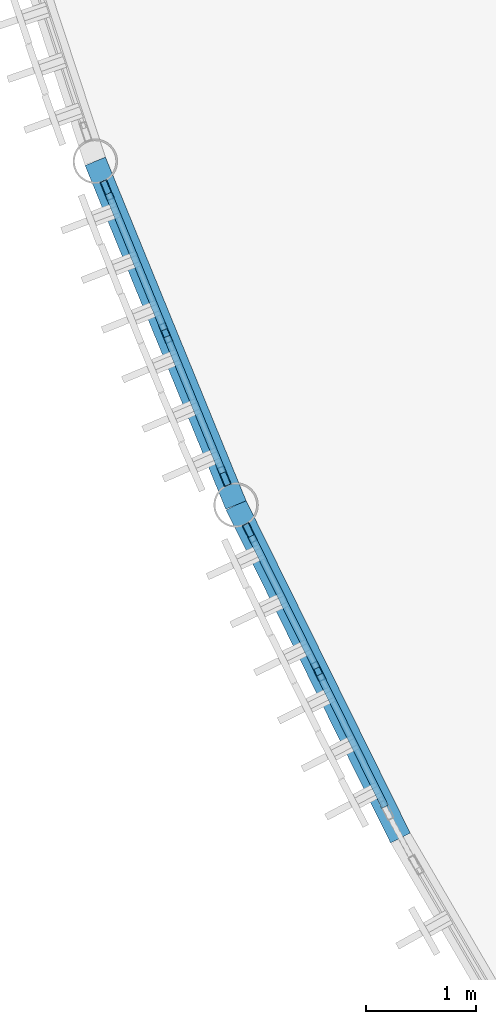
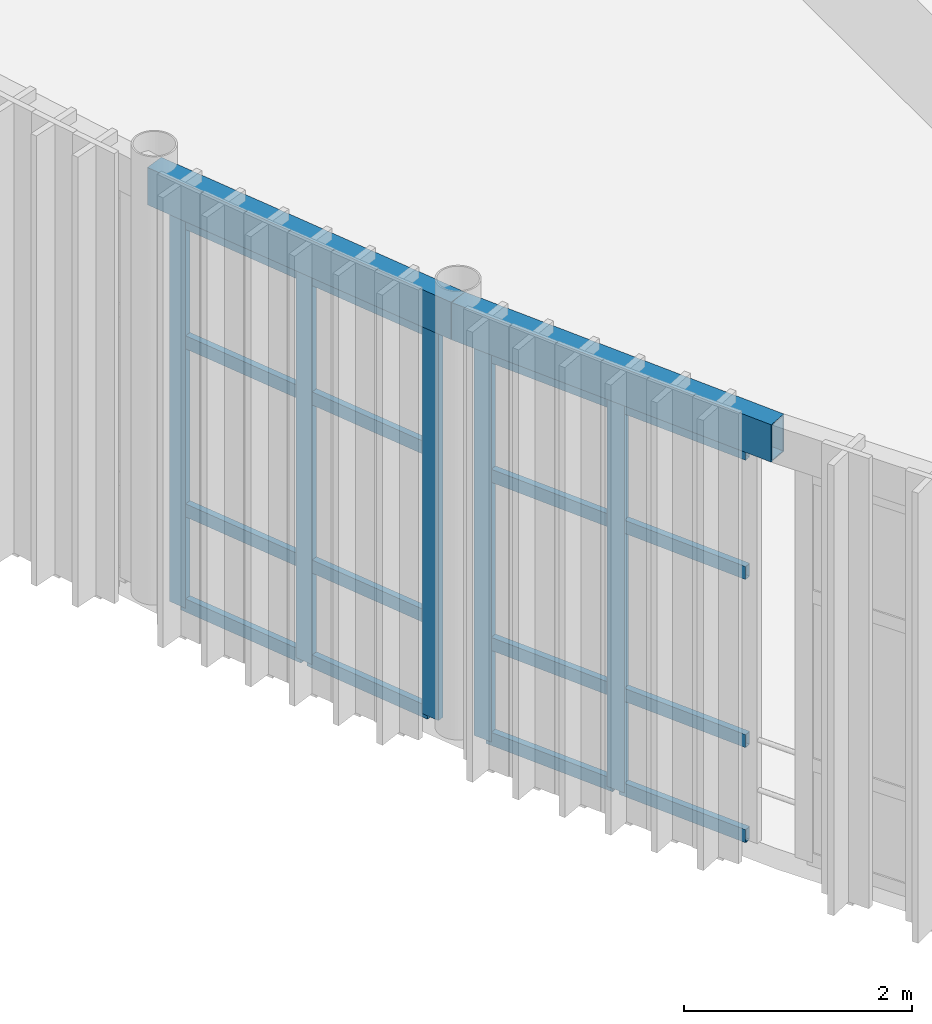
# One storey, part 21 of 105: 21 members, 2 beams, 2 elements without a shape of their own.
"""IFC4 building model written with IfcOpenShell, lengths in metres."""

from ifc_helpers import new_model, si_unit, direction, frame, origin, origin_2d, place, context, subcontext, project, spatial, hollow_rectangle, extrude, material, layer, layer_set, material_profile, profile_set, type_object, element, aggregate, save


model = new_model("IFC4")

# Units and contexts
model_context = context("Model", 3, precision=1e-05, world=origin(), true_north=direction((0.0, 1.0)))
body_context = subcontext(model_context, "Body", "Model", "MODEL_VIEW")
ifc_project = project(units=[si_unit("LENGTHUNIT", "METRE"), si_unit("AREAUNIT", "SQUARE_METRE"), si_unit("VOLUMEUNIT", "CUBIC_METRE"), si_unit("PLANEANGLEUNIT", "RADIAN"), si_unit("MASSUNIT", "GRAM", prefix="KILO")], contexts=[model_context])

# Site, building, storey
site_placement = place(None, origin())
site = spatial("IfcSite", under=ifc_project, at=site_placement, CompositionType="ELEMENT")
building_placement = place(site_placement, origin())
building = spatial("IfcBuilding", under=site, at=building_placement, Name="Selat Folded Stagehouse", CompositionType="ELEMENT")
storey_placement = place(building_placement, frame((0.0, 0.0, 10.199951171875)))
storey = spatial("IfcBuildingStorey", under=building, at=storey_placement, Name="L02", CompositionType="ELEMENT", Elevation=10.199951171875)

# Curtain wall, members
ifc_material_1 = material(Name="Aluminium 6063-T6", Category="aluminium")
ifc_layer = layer(ifc_material_1, 0.199951171875)
ifc_layer_set = layer_set([ifc_layer], Name="Aluminium 6063-T6")
curtain_wall_type = type_object("IfcCurtainWallType", Name="CW-DRM-MID", PredefinedType="NOTDEFINED", material=ifc_layer_set)
curtain_wall_1_placement = place(storey_placement, origin())
curtain_wall_1 = element("IfcCurtainWall", 1, at=curtain_wall_1_placement, inside=storey, type_object=curtain_wall_type, Name="L02 curtain wall CW-DRM-L02-07", PredefinedType="NOTDEFINED")
ifc_material_profile_1 = material_profile(ifc_material_1, hollow_rectangle(XDim=0.06494140625, YDim=0.179931640625, WallThickness=0.00390625, at=origin_2d()), Name="ALU 180x65x4.0")
ifc_profile_set_1 = profile_set([ifc_material_profile_1], Name="Aluminium 6063-T6")
member_type_1 = type_object("IfcMemberType", Name="CWM-MUL-180x65", PredefinedType="MULLION", material=ifc_profile_set_1)
member_1_placement = place(storey_placement, frame((4.136962890625, 28.52783203125, 0.0), z_axis=(0.0, 0.0, 1.0), x_axis=(-0.925441425231, -0.378890707813, 0.0)))
member_1 = element("IfcMember", 2, at=member_1_placement, type_object=member_type_1, Name="CW-02 mullion 1", PredefinedType="MULLION", context=body_context, shape_type="SweptSolid", body=[
    extrude(hollow_rectangle(XDim=0.06494140625, YDim=0.179931640625, WallThickness=0.00390625, at=origin_2d()), origin(), (0.0, 0.0, 1.0), 4.16015625),
])
member_2_placement = place(storey_placement, frame((3.605712890625, 29.8251953125, 0.0), z_axis=(0.0, 0.0, 1.0), x_axis=(-0.925441425231, -0.378890707813, 0.0)))
member_2 = element("IfcMember", 3, at=member_2_placement, type_object=member_type_1, Name="CW-02 mullion 2", PredefinedType="MULLION", context=body_context, shape_type="SweptSolid", body=[
    extrude(hollow_rectangle(XDim=0.06494140625, YDim=0.179931640625, WallThickness=0.00390625, at=origin_2d()), origin(), (0.0, 0.0, 1.0), 4.16015625),
])
member_3_placement = place(storey_placement, frame((3.07470703125, 31.122802734375, 0.0), z_axis=(0.0, 0.0, 1.0), x_axis=(-0.925441425231, -0.378890707813, 0.0)))
member_3 = element("IfcMember", 4, at=member_3_placement, type_object=member_type_1, Name="CW-02 mullion 3", PredefinedType="MULLION", context=body_context, shape_type="SweptSolid", body=[
    extrude(hollow_rectangle(XDim=0.06494140625, YDim=0.179931640625, WallThickness=0.00390625, at=origin_2d()), origin(), (0.0, 0.0, 1.0), 4.16015625),
])

curtain_wall_2_placement = place(storey_placement, origin())
curtain_wall_2 = element("IfcCurtainWall", 5, at=curtain_wall_2_placement, inside=storey, type_object=curtain_wall_type, Name="L02 curtain wall CW-DRM-L02-08", PredefinedType="NOTDEFINED")
member_4_placement = place(storey_placement, frame((4.989990234375, 26.756103515625, 0.0), z_axis=(0.0, 0.0, 1.0), x_axis=(-0.896598356392, -0.442844653705, 0.0)))
member_4 = element("IfcMember", 6, at=member_4_placement, type_object=member_type_1, Name="CW-02 mullion 2", PredefinedType="MULLION", context=body_context, shape_type="SweptSolid", body=[
    extrude(hollow_rectangle(XDim=0.06494140625, YDim=0.179931640625, WallThickness=0.00390625, at=origin_2d()), origin(), (0.0, 0.0, 1.0), 4.16015625),
])
member_5_placement = place(storey_placement, frame((4.369140625, 28.01318359375, 0.0), z_axis=(0.0, 0.0, 1.0), x_axis=(-0.896598356392, -0.442844653705, 0.0)))
member_5 = element("IfcMember", 7, at=member_5_placement, type_object=member_type_1, Name="CW-02 mullion 3", PredefinedType="MULLION", context=body_context, shape_type="SweptSolid", body=[
    extrude(hollow_rectangle(XDim=0.06494140625, YDim=0.179931640625, WallThickness=0.00390625, at=origin_2d()), origin(), (0.0, 0.0, 1.0), 4.16015625),
])

# Member
ifc_material_profile_2 = material_profile(ifc_material_1, hollow_rectangle(XDim=0.06494140625, YDim=0.139892578125, WallThickness=0.00390625, at=origin_2d()), Name="ALU 140x65x4.0")
ifc_profile_set_2 = profile_set([ifc_material_profile_2], Name="Aluminium 6063-T6")
member_type_2 = type_object("IfcMemberType", Name="CWM-TRN-140x65", PredefinedType="USERDEFINED", material=ifc_profile_set_2)
member_6_placement = place(storey_placement, frame((4.124755859375, 28.557861328125, 0.032470703125), z_axis=(-0.378903018668, 0.925436384872, 0.0), x_axis=(-0.925436384872, -0.378903018668, 0.0)))
member_6 = element("IfcMember", 8, at=member_6_placement, type_object=member_type_2, Name="CW-02 transom 1.1", ObjectType="TRANSOM", PredefinedType="USERDEFINED", context=body_context, shape_type="SweptSolid", body=[
    extrude(hollow_rectangle(XDim=0.06494140625, YDim=0.139892578125, WallThickness=0.00390625, at=origin_2d()), origin(), (0.0, 0.0, 1.0), 1.3369140625),
])

member_7_placement = place(storey_placement, frame((4.124755859375, 28.557861328125, 1.050048828125), z_axis=(-0.378903018668, 0.925436384872, 0.0), x_axis=(-0.925436384872, -0.378903018668, 0.0)))
member_7 = element("IfcMember", 9, at=member_7_placement, type_object=member_type_2, Name="CW-02 transom 1.2", ObjectType="TRANSOM", PredefinedType="USERDEFINED", context=body_context, shape_type="SweptSolid", body=[
    extrude(hollow_rectangle(XDim=0.06494140625, YDim=0.139892578125, WallThickness=0.00390625, at=origin_2d()), origin(), (0.0, 0.0, 1.0), 1.3369140625),
])

member_8_placement = place(storey_placement, frame((4.124755859375, 28.557861328125, 2.85009765625), z_axis=(-0.378903018668, 0.925436384872, 0.0), x_axis=(-0.925436384872, -0.378903018668, 0.0)))
member_8 = element("IfcMember", 10, at=member_8_placement, type_object=member_type_2, Name="CW-02 transom 1.3", ObjectType="TRANSOM", PredefinedType="USERDEFINED", context=body_context, shape_type="SweptSolid", body=[
    extrude(hollow_rectangle(XDim=0.06494140625, YDim=0.139892578125, WallThickness=0.00390625, at=origin_2d()), origin(), (0.0, 0.0, 1.0), 1.3369140625),
])

member_9_placement = place(storey_placement, frame((4.124755859375, 28.557861328125, 4.12744140625), z_axis=(-0.378903018668, 0.925436384872, 0.0), x_axis=(-0.925436384872, -0.378903018668, 0.0)))
member_9 = element("IfcMember", 11, at=member_9_placement, type_object=member_type_2, Name="CW-02 transom 1.4", ObjectType="TRANSOM", PredefinedType="USERDEFINED", context=body_context, shape_type="SweptSolid", body=[
    extrude(hollow_rectangle(XDim=0.06494140625, YDim=0.139892578125, WallThickness=0.00390625, at=origin_2d()), origin(), (0.0, 0.0, 1.0), 1.3369140625),
])

member_10_placement = place(storey_placement, frame((3.593505859375, 29.85546875, 0.032470703125), z_axis=(-0.378967058745, 0.925410162245, 0.0), x_axis=(-0.925410162245, -0.378967058745, 0.0)))
member_10 = element("IfcMember", 12, at=member_10_placement, type_object=member_type_2, Name="CW-02 transom 2.1", ObjectType="TRANSOM", PredefinedType="USERDEFINED", context=body_context, shape_type="SweptSolid", body=[
    extrude(hollow_rectangle(XDim=0.06494140625, YDim=0.139892578125, WallThickness=0.00390625, at=origin_2d()), origin(), (0.0, 0.0, 1.0), 1.336669921875),
])

member_11_placement = place(storey_placement, frame((3.593505859375, 29.85546875, 1.050048828125), z_axis=(-0.378967058745, 0.925410162245, 0.0), x_axis=(-0.925410162245, -0.378967058745, 0.0)))
member_11 = element("IfcMember", 13, at=member_11_placement, type_object=member_type_2, Name="CW-02 transom 2.2", ObjectType="TRANSOM", PredefinedType="USERDEFINED", context=body_context, shape_type="SweptSolid", body=[
    extrude(hollow_rectangle(XDim=0.06494140625, YDim=0.139892578125, WallThickness=0.00390625, at=origin_2d()), origin(), (0.0, 0.0, 1.0), 1.336669921875),
])

member_12_placement = place(storey_placement, frame((3.593505859375, 29.85546875, 2.85009765625), z_axis=(-0.378967058745, 0.925410162245, 0.0), x_axis=(-0.925410162245, -0.378967058745, 0.0)))
member_12 = element("IfcMember", 14, at=member_12_placement, type_object=member_type_2, Name="CW-02 transom 2.3", ObjectType="TRANSOM", PredefinedType="USERDEFINED", context=body_context, shape_type="SweptSolid", body=[
    extrude(hollow_rectangle(XDim=0.06494140625, YDim=0.139892578125, WallThickness=0.00390625, at=origin_2d()), origin(), (0.0, 0.0, 1.0), 1.336669921875),
])

member_13_placement = place(storey_placement, frame((3.593505859375, 29.85546875, 4.12744140625), z_axis=(-0.378967058745, 0.925410162245, 0.0), x_axis=(-0.925410162245, -0.378967058745, 0.0)))
member_13 = element("IfcMember", 15, at=member_13_placement, type_object=member_type_2, Name="CW-02 transom 2.4", ObjectType="TRANSOM", PredefinedType="USERDEFINED", context=body_context, shape_type="SweptSolid", body=[
    extrude(hollow_rectangle(XDim=0.06494140625, YDim=0.139892578125, WallThickness=0.00390625, at=origin_2d()), origin(), (0.0, 0.0, 1.0), 1.336669921875),
])

aggregate(curtain_wall_1, [member_1, member_2, member_3, member_6, member_7, member_8, member_9, member_10, member_11, member_12, member_13])

member_14_placement = place(storey_placement, frame((5.596435546875, 25.528076171875, 0.032470703125), z_axis=(-0.442825622785, 0.896607755825, 0.0), x_axis=(-0.896607755825, -0.442825622785, 0.0)))
member_14 = element("IfcMember", 16, at=member_14_placement, type_object=member_type_2, Name="CW-02 transom 1.1", ObjectType="TRANSOM", PredefinedType="USERDEFINED", context=body_context, shape_type="SweptSolid", body=[
    extrude(hollow_rectangle(XDim=0.06494140625, YDim=0.139892578125, WallThickness=0.00390625, at=origin_2d()), origin(), (0.0, 0.0, 1.0), 1.3369140625),
])

member_15_placement = place(storey_placement, frame((5.596435546875, 25.528076171875, 1.050048828125), z_axis=(-0.442825622785, 0.896607755825, 0.0), x_axis=(-0.896607755825, -0.442825622785, 0.0)))
member_15 = element("IfcMember", 17, at=member_15_placement, type_object=member_type_2, Name="CW-02 transom 1.2", ObjectType="TRANSOM", PredefinedType="USERDEFINED", context=body_context, shape_type="SweptSolid", body=[
    extrude(hollow_rectangle(XDim=0.06494140625, YDim=0.139892578125, WallThickness=0.00390625, at=origin_2d()), origin(), (0.0, 0.0, 1.0), 1.3369140625),
])

member_16_placement = place(storey_placement, frame((5.596435546875, 25.528076171875, 2.85009765625), z_axis=(-0.442825622785, 0.896607755825, 0.0), x_axis=(-0.896607755825, -0.442825622785, 0.0)))
member_16 = element("IfcMember", 18, at=member_16_placement, type_object=member_type_2, Name="CW-02 transom 1.3", ObjectType="TRANSOM", PredefinedType="USERDEFINED", context=body_context, shape_type="SweptSolid", body=[
    extrude(hollow_rectangle(XDim=0.06494140625, YDim=0.139892578125, WallThickness=0.00390625, at=origin_2d()), origin(), (0.0, 0.0, 1.0), 1.3369140625),
])

member_17_placement = place(storey_placement, frame((5.596435546875, 25.528076171875, 4.12744140625), z_axis=(-0.442825622785, 0.896607755825, 0.0), x_axis=(-0.896607755825, -0.442825622785, 0.0)))
member_17 = element("IfcMember", 19, at=member_17_placement, type_object=member_type_2, Name="CW-02 transom 1.4", ObjectType="TRANSOM", PredefinedType="USERDEFINED", context=body_context, shape_type="SweptSolid", body=[
    extrude(hollow_rectangle(XDim=0.06494140625, YDim=0.139892578125, WallThickness=0.00390625, at=origin_2d()), origin(), (0.0, 0.0, 1.0), 1.3369140625),
])

member_18_placement = place(storey_placement, frame((4.9755859375, 26.78515625, 0.032470703125), z_axis=(-0.442753130164, 0.896643555561, 0.0), x_axis=(-0.896643555561, -0.442753130164, 0.0)))
member_18 = element("IfcMember", 20, at=member_18_placement, type_object=member_type_2, Name="CW-02 transom 2.1", ObjectType="TRANSOM", PredefinedType="USERDEFINED", context=body_context, shape_type="SweptSolid", body=[
    extrude(hollow_rectangle(XDim=0.06494140625, YDim=0.139892578125, WallThickness=0.00390625, at=origin_2d()), origin(), (0.0, 0.0, 1.0), 1.337158203125),
])

member_19_placement = place(storey_placement, frame((4.9755859375, 26.78515625, 1.050048828125), z_axis=(-0.442753130164, 0.896643555561, 0.0), x_axis=(-0.896643555561, -0.442753130164, 0.0)))
member_19 = element("IfcMember", 21, at=member_19_placement, type_object=member_type_2, Name="CW-02 transom 2.2", ObjectType="TRANSOM", PredefinedType="USERDEFINED", context=body_context, shape_type="SweptSolid", body=[
    extrude(hollow_rectangle(XDim=0.06494140625, YDim=0.139892578125, WallThickness=0.00390625, at=origin_2d()), origin(), (0.0, 0.0, 1.0), 1.337158203125),
])

member_20_placement = place(storey_placement, frame((4.9755859375, 26.78515625, 2.85009765625), z_axis=(-0.442753130164, 0.896643555561, 0.0), x_axis=(-0.896643555561, -0.442753130164, 0.0)))
member_20 = element("IfcMember", 22, at=member_20_placement, type_object=member_type_2, Name="CW-02 transom 2.3", ObjectType="TRANSOM", PredefinedType="USERDEFINED", context=body_context, shape_type="SweptSolid", body=[
    extrude(hollow_rectangle(XDim=0.06494140625, YDim=0.139892578125, WallThickness=0.00390625, at=origin_2d()), origin(), (0.0, 0.0, 1.0), 1.337158203125),
])

member_21_placement = place(storey_placement, frame((4.9755859375, 26.78515625, 4.12744140625), z_axis=(-0.442753130164, 0.896643555561, 0.0), x_axis=(-0.896643555561, -0.442753130164, 0.0)))
member_21 = element("IfcMember", 23, at=member_21_placement, type_object=member_type_2, Name="CW-02 transom 2.4", ObjectType="TRANSOM", PredefinedType="USERDEFINED", context=body_context, shape_type="SweptSolid", body=[
    extrude(hollow_rectangle(XDim=0.06494140625, YDim=0.139892578125, WallThickness=0.00390625, at=origin_2d()), origin(), (0.0, 0.0, 1.0), 1.337158203125),
])

aggregate(curtain_wall_2, [member_4, member_5, member_14, member_15, member_16, member_17, member_18, member_19, member_20, member_21])

# Beams
ifc_material_2 = material(Name="Steel S355", Category="steel")
ifc_material_profile_3 = material_profile(ifc_material_2, hollow_rectangle(XDim=0.199951171875, YDim=0.39990234375, WallThickness=0.012451171875, at=origin_2d()), Name="RHS 400x200x12.5")
ifc_profile_set_3 = profile_set([ifc_material_profile_3], Name="Steel S355")
beam_type = type_object("IfcBeamType", Name="SPD-EXT-400x200", PredefinedType="SPANDREL", material=ifc_profile_set_3)
for number, where, z_axis, x_axis, name in (
    (24, (2.967529296875, 31.38427734375, 4.400146484375), (0.3788501038, -0.925458048131, 0.0), (0.925458048131, 0.3788501038, 0.0), "L02 curved drum spandrel beam 8"),
    (25, (4.243896484375, 28.266357421875, 4.400146484375), (0.442889628602, -0.896576141148, 0.0), (0.896576141148, 0.442889628602, 0.0), "L02 curved drum spandrel beam 9"),
):
    element("IfcBeam", number, at=place(storey_placement, frame(where, z_axis=z_axis, x_axis=x_axis)), inside=storey, type_object=beam_type, Name=name, PredefinedType="SPANDREL", context=body_context, shape_type="SweptSolid", body=[
        extrude(hollow_rectangle(XDim=0.199951171875, YDim=0.39990234375, WallThickness=0.012451171875, at=origin_2d()), origin(), (0.0, 0.0, 1.0), 3.369140625),
    ])

save(model, "model.ifc")
